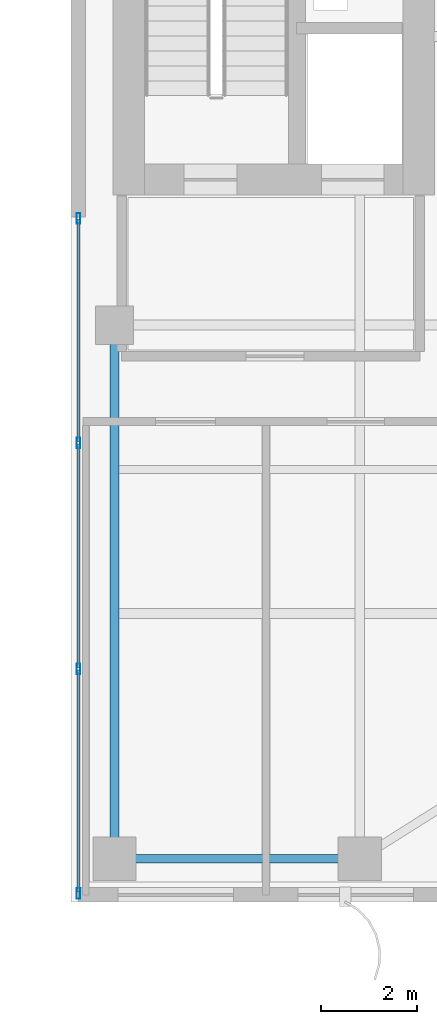
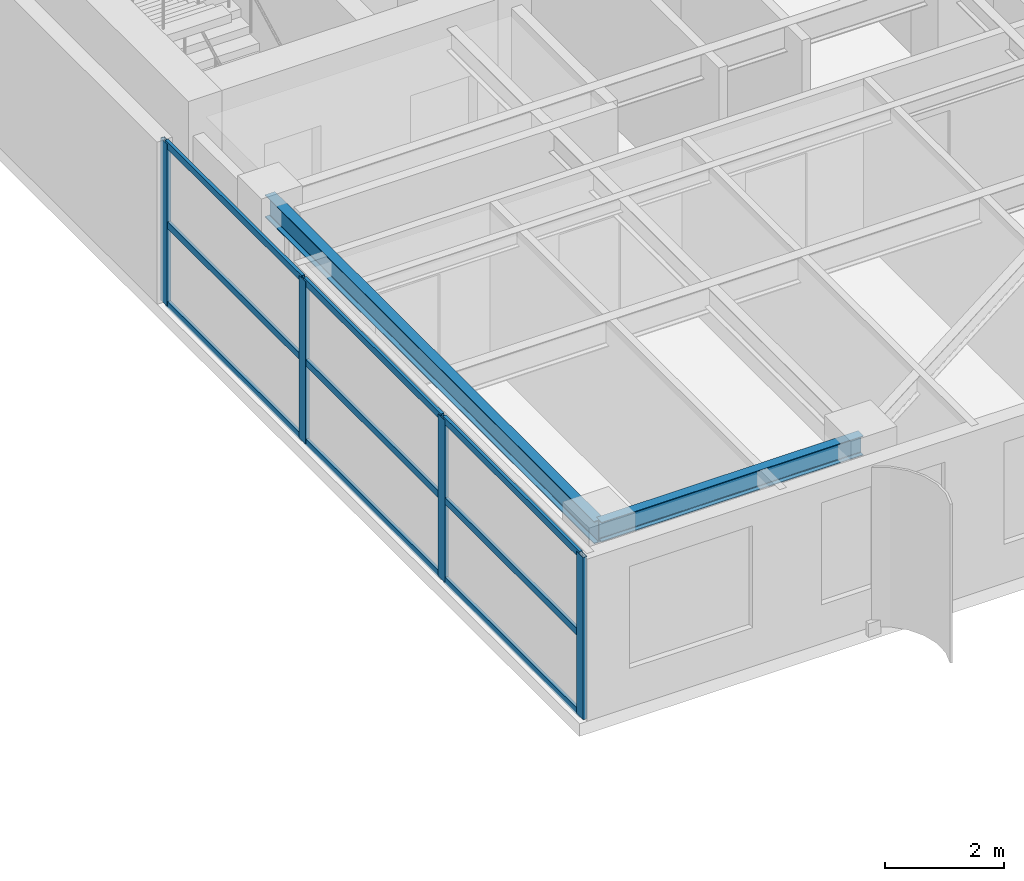
# One storey, part 5 of 22: 13 members, 2 beams, 1 element without a shape of its own.
"""IFC4 building model written with IfcOpenShell, lengths in metres."""

from ifc_helpers import new_model, si_unit, direction, frame, origin, origin_2d, place, context, subcontext, project, spatial, hollow_rectangle, i_section, extrude, source, transform, mapped, material, layer, layer_set, material_profile, profile_set, type_object, element, aggregate, save


model = new_model("IFC4")

# Units and contexts
model_context = context("Model", 3, precision=1e-05, world=origin(), true_north=direction((0.0, 1.0)))
body_context = subcontext(model_context, "Body", "Model", "MODEL_VIEW")
ifc_project = project(units=[si_unit("LENGTHUNIT", "METRE"), si_unit("AREAUNIT", "SQUARE_METRE"), si_unit("VOLUMEUNIT", "CUBIC_METRE"), si_unit("PLANEANGLEUNIT", "RADIAN"), si_unit("MASSUNIT", "GRAM", prefix="KILO")], contexts=[model_context])

# Site, building, storey
site_placement = place(None, origin())
site = spatial("IfcSite", under=ifc_project, at=site_placement, CompositionType="ELEMENT")
building_placement = place(site_placement, origin())
building = spatial("IfcBuilding", under=site, at=building_placement, Name="Khoralis Quay Care Tower", CompositionType="ELEMENT")
storey_placement = place(building_placement, frame((0.0, 0.0, 195.300048828125)))
storey = spatial("IfcBuildingStorey", under=building, at=storey_placement, Name="L51", CompositionType="ELEMENT", Elevation=195.300048828125)

# Beams
ifc_material_1 = material(Name="Steel S355", Category="steel")
ifc_material_profile_1 = material_profile(ifc_material_1, i_section(OverallWidth=0.179931640625, OverallDepth=0.39990234375, WebThickness=0.008544921875, FlangeThickness=0.013427734375, FilletRadius=0.02099609375, at=origin_2d()), Name="Steel S355")
ifc_profile_set_1 = profile_set([ifc_material_profile_1], Name="Steel S355")
beam_type_1 = type_object("IfcBeamType", Name="BM-IPE400", PredefinedType="SPANDREL", material=ifc_profile_set_1)
shared_shape_1 = source(origin(), body_context, "Body", "SweptSolid", [
    extrude(i_section(OverallWidth=0.179931640625, OverallDepth=0.39990234375, WebThickness=0.008544921875, FlangeThickness=0.013427734375, FilletRadius=0.02099609375, at=origin_2d()), origin(), (0.0, 0.0, 1.0), 5.10009765625),
])
beam_1_placement = place(storey_placement, frame((30.89990234375, 0.89990234375, 3.139892578125), z_axis=(1.0, 0.0, 0.0), x_axis=(0.0, 1.0, 0.0)))
element("IfcBeam", 1, at=beam_1_placement, inside=storey, type_object=beam_type_1, Name="BM-TSP-L51-02", PredefinedType="SPANDREL", context=body_context, shape_type="MappedRepresentation", body=[
    mapped(shared_shape_1, transform((0.0, 0.0, 0.0), scale=1.0)),
])
ifc_material_profile_2 = material_profile(ifc_material_1, i_section(OverallWidth=0.19189453125, OverallDepth=0.462890625, WebThickness=0.010498046875, FlangeThickness=0.017578125, FilletRadius=0.014892578125, at=origin_2d()), Name="Steel S355")
ifc_profile_set_2 = profile_set([ifc_material_profile_2], Name="Steel S355")
beam_type_2 = type_object("IfcBeamType", Name="BM-W460X89", PredefinedType="BEAM", material=ifc_profile_set_2)
shared_shape_2 = source(origin(), body_context, "Body", "SweptSolid", [
    extrude(i_section(OverallWidth=0.19189453125, OverallDepth=0.462890625, WebThickness=0.010498046875, FlangeThickness=0.017578125, FilletRadius=0.014892578125, at=origin_2d()), origin(), (0.0, 0.0, 1.0), 11.10009765625),
])
beam_2_placement = place(storey_placement, frame((30.89990234375, 0.89990234375, 3.1083984375), z_axis=(0.0, 1.0, 0.0), x_axis=(-1.0, 0.0, 0.0)))
element("IfcBeam", 2, at=beam_2_placement, inside=storey, type_object=beam_type_2, Name="BM-TGYS-L51-309", PredefinedType="BEAM", context=body_context, shape_type="MappedRepresentation", body=[
    mapped(shared_shape_2, transform((0.0, 0.0, 0.0), scale=1.0)),
])

# Curtain wall, members
ifc_material_2 = material(Name="Pale anodised aluminium", Category="aluminium")
ifc_layer = layer(ifc_material_2, 0.18994140625)
ifc_layer_set = layer_set([ifc_layer], Name="Pale anodised aluminium")
curtain_wall_type = type_object("IfcCurtainWallType", Name="CW-SYS-PORTAL", PredefinedType="NOTDEFINED", material=ifc_layer_set)
curtain_wall_placement = place(storey_placement, origin())
curtain_wall = element("IfcCurtainWall", 3, at=curtain_wall_placement, inside=storey, type_object=curtain_wall_type, Name="L51 Unitised Curtain Wall CW-VP-L51-P2-S", PredefinedType="NOTDEFINED")
ifc_material_profile_3 = material_profile(ifc_material_2, hollow_rectangle(XDim=0.06005859375, YDim=0.139892578125, WallThickness=0.00390625, at=origin_2d()), Name="Pale anodised aluminium")
ifc_profile_set_3 = profile_set([ifc_material_profile_3], Name="Pale anodised aluminium")
member_type_1 = type_object("IfcMemberType", Name="CW-TRN-140", PredefinedType="USERDEFINED", material=ifc_profile_set_3)
shared_shape_3 = source(origin(), body_context, "Body", "SweptSolid", [
    extrude(hollow_rectangle(XDim=0.06005859375, YDim=0.139892578125, WallThickness=0.00390625, at=origin_2d()), origin(), (0.0, 0.0, 1.0), 4.610107421875),
])
member_1_placement = place(storey_placement, frame((30.14990234375, 0.2099609375, 0.030029296875), z_axis=(0.0, 1.0, 0.0), x_axis=(-1.0, 0.0, 0.0)))
member_1 = element("IfcMember", 4, at=member_1_placement, type_object=member_type_1, Name="CW4 transom 1.1", ObjectType="TRANSOM", PredefinedType="USERDEFINED", context=body_context, shape_type="MappedRepresentation", body=[
    mapped(shared_shape_3, transform((0.0, 0.0, 0.0), scale=1.0)),
])
member_2_placement = place(storey_placement, frame((30.14990234375, 0.2099609375, 1.669921875), z_axis=(0.0, 1.0, 0.0), x_axis=(-1.0, 0.0, 0.0)))
member_2 = element("IfcMember", 5, at=member_2_placement, type_object=member_type_1, Name="CW4 transom 1.2", ObjectType="TRANSOM", PredefinedType="USERDEFINED", context=body_context, shape_type="MappedRepresentation", body=[
    mapped(shared_shape_3, transform((0.0, 0.0, 0.0), scale=1.0)),
])
member_3_placement = place(storey_placement, frame((30.14990234375, 0.2099609375, 3.31005859375), z_axis=(0.0, 1.0, 0.0), x_axis=(-1.0, 0.0, 0.0)))
member_3 = element("IfcMember", 6, at=member_3_placement, type_object=member_type_1, Name="CW4 transom 1.3", ObjectType="TRANSOM", PredefinedType="USERDEFINED", context=body_context, shape_type="MappedRepresentation", body=[
    mapped(shared_shape_3, transform((0.0, 0.0, 0.0), scale=1.0)),
])
shared_shape_4 = source(origin(), body_context, "Body", "SweptSolid", [
    extrude(hollow_rectangle(XDim=0.06005859375, YDim=0.139892578125, WallThickness=0.00390625, at=origin_2d()), origin(), (0.0, 0.0, 1.0), 4.64013671875),
])
member_4_placement = place(storey_placement, frame((30.14990234375, 4.8798828125, 0.030029296875), z_axis=(0.0, 1.0, 0.0), x_axis=(-1.0, 0.0, 0.0)))
member_4 = element("IfcMember", 7, at=member_4_placement, type_object=member_type_1, Name="CW4 transom 2.1", ObjectType="TRANSOM", PredefinedType="USERDEFINED", context=body_context, shape_type="MappedRepresentation", body=[
    mapped(shared_shape_4, transform((0.0, 0.0, 0.0), scale=1.0)),
])
member_5_placement = place(storey_placement, frame((30.14990234375, 4.8798828125, 1.669921875), z_axis=(0.0, 1.0, 0.0), x_axis=(-1.0, 0.0, 0.0)))
member_5 = element("IfcMember", 8, at=member_5_placement, type_object=member_type_1, Name="CW4 transom 2.2", ObjectType="TRANSOM", PredefinedType="USERDEFINED", context=body_context, shape_type="MappedRepresentation", body=[
    mapped(shared_shape_4, transform((0.0, 0.0, 0.0), scale=1.0)),
])
member_6_placement = place(storey_placement, frame((30.14990234375, 4.8798828125, 3.31005859375), z_axis=(0.0, 1.0, 0.0), x_axis=(-1.0, 0.0, 0.0)))
member_6 = element("IfcMember", 9, at=member_6_placement, type_object=member_type_1, Name="CW4 transom 2.3", ObjectType="TRANSOM", PredefinedType="USERDEFINED", context=body_context, shape_type="MappedRepresentation", body=[
    mapped(shared_shape_4, transform((0.0, 0.0, 0.0), scale=1.0)),
])
shared_shape_5 = source(origin(), body_context, "Body", "SweptSolid", [
    extrude(hollow_rectangle(XDim=0.06005859375, YDim=0.139892578125, WallThickness=0.00390625, at=origin_2d()), origin(), (0.0, 0.0, 1.0), 4.60986328125),
])
member_7_placement = place(storey_placement, frame((30.14990234375, 9.580078125, 0.030029296875), z_axis=(0.0, 1.0, 0.0), x_axis=(-1.0, 0.0, 0.0)))
member_7 = element("IfcMember", 10, at=member_7_placement, type_object=member_type_1, Name="CW4 transom 3.1", ObjectType="TRANSOM", PredefinedType="USERDEFINED", context=body_context, shape_type="MappedRepresentation", body=[
    mapped(shared_shape_5, transform((0.0, 0.0, 0.0), scale=1.0)),
])
member_8_placement = place(storey_placement, frame((30.14990234375, 9.580078125, 1.669921875), z_axis=(0.0, 1.0, 0.0), x_axis=(-1.0, 0.0, 0.0)))
member_8 = element("IfcMember", 11, at=member_8_placement, type_object=member_type_1, Name="CW4 transom 3.2", ObjectType="TRANSOM", PredefinedType="USERDEFINED", context=body_context, shape_type="MappedRepresentation", body=[
    mapped(shared_shape_5, transform((0.0, 0.0, 0.0), scale=1.0)),
])
member_9_placement = place(storey_placement, frame((30.14990234375, 9.580078125, 3.31005859375), z_axis=(0.0, 1.0, 0.0), x_axis=(-1.0, 0.0, 0.0)))
member_9 = element("IfcMember", 12, at=member_9_placement, type_object=member_type_1, Name="CW4 transom 3.3", ObjectType="TRANSOM", PredefinedType="USERDEFINED", context=body_context, shape_type="MappedRepresentation", body=[
    mapped(shared_shape_5, transform((0.0, 0.0, 0.0), scale=1.0)),
])
ifc_material_profile_4 = material_profile(ifc_material_2, hollow_rectangle(XDim=0.074951171875, YDim=0.219970703125, WallThickness=0.00390625, at=origin_2d()), Name="Pale anodised aluminium")
ifc_profile_set_4 = profile_set([ifc_material_profile_4], Name="Pale anodised aluminium")
member_type_2 = type_object("IfcMemberType", Name="CW-MUL-220", PredefinedType="MULLION", material=ifc_profile_set_4)
shared_shape_6 = source(origin(), body_context, "Body", "SweptSolid", [
    extrude(hollow_rectangle(XDim=0.074951171875, YDim=0.219970703125, WallThickness=0.00390625, at=origin_2d()), origin(), (0.0, 0.0, 1.0), 3.33984375),
])
member_10_placement = place(storey_placement, frame((30.14990234375, 0.179931640625, 0.0), z_axis=(0.0, 0.0, 1.0), x_axis=(-1.0, 0.0, 0.0)))
member_10 = element("IfcMember", 13, at=member_10_placement, type_object=member_type_2, Name="CW4 mullion 1", PredefinedType="MULLION", context=body_context, shape_type="MappedRepresentation", body=[
    mapped(shared_shape_6, transform((0.0, 0.0, 0.0), scale=1.0)),
])
member_11_placement = place(storey_placement, frame((30.14990234375, 4.85009765625, 0.0), z_axis=(0.0, 0.0, 1.0), x_axis=(-1.0, 0.0, 0.0)))
member_11 = element("IfcMember", 14, at=member_11_placement, type_object=member_type_2, Name="CW4 mullion 2", PredefinedType="MULLION", context=body_context, shape_type="MappedRepresentation", body=[
    mapped(shared_shape_6, transform((0.0, 0.0, 0.0), scale=1.0)),
])
member_12_placement = place(storey_placement, frame((30.14990234375, 9.550048828125, 0.0), z_axis=(0.0, 0.0, 1.0), x_axis=(-1.0, 0.0, 0.0)))
member_12 = element("IfcMember", 15, at=member_12_placement, type_object=member_type_2, Name="CW4 mullion 3", PredefinedType="MULLION", context=body_context, shape_type="MappedRepresentation", body=[
    mapped(shared_shape_6, transform((0.0, 0.0, 0.0), scale=1.0)),
])
member_13_placement = place(storey_placement, frame((30.14990234375, 14.219970703125, 0.0), z_axis=(0.0, 0.0, 1.0), x_axis=(-1.0, 0.0, 0.0)))
member_13 = element("IfcMember", 16, at=member_13_placement, type_object=member_type_2, Name="CW4 mullion 4", PredefinedType="MULLION", context=body_context, shape_type="MappedRepresentation", body=[
    mapped(shared_shape_6, transform((0.0, 0.0, 0.0), scale=1.0)),
])
aggregate(curtain_wall, [member_10, member_11, member_12, member_13, member_1, member_2, member_3, member_4, member_5, member_6, member_7, member_8, member_9])

save(model, "model.ifc")
